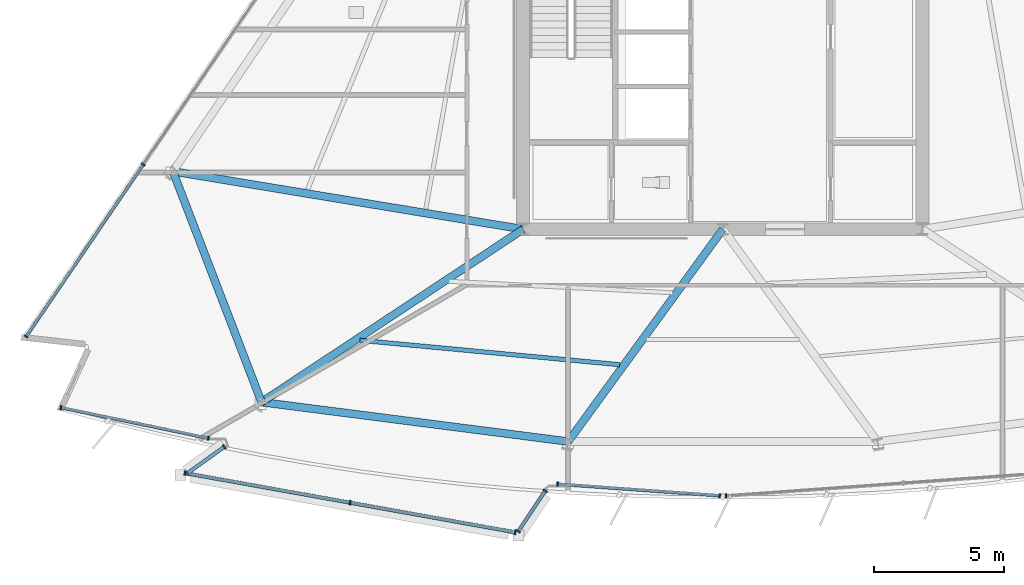
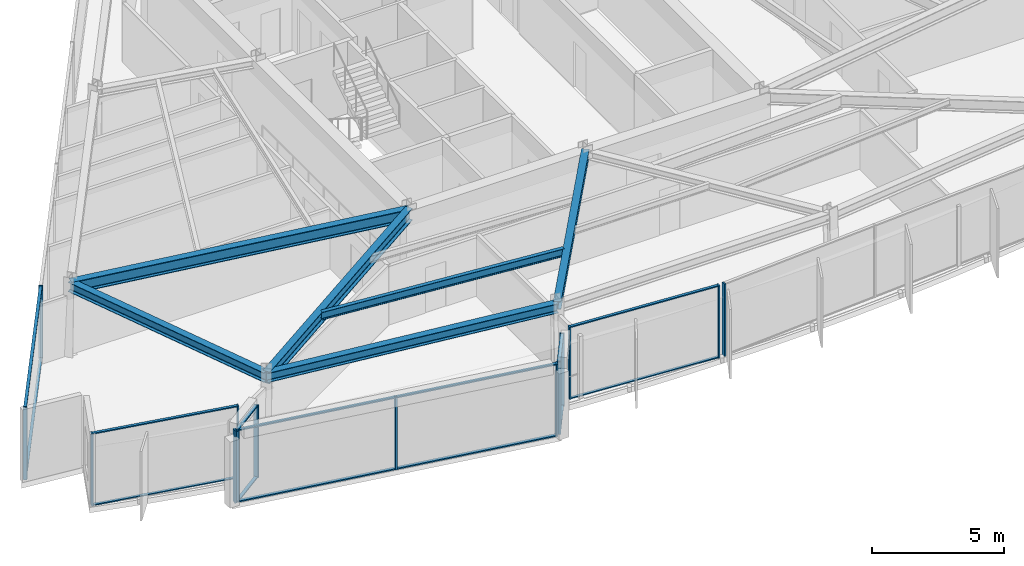
# One storey, part 2 of 16: 28 members, 6 beams, 7 elements without a shape of their own.
"""IFC4 building model written with IfcOpenShell, lengths in metres."""

from ifc_helpers import new_model, si_unit, direction, frame, origin, origin_2d, place, context, subcontext, project, spatial, rectangle, i_section, extrude, material, material_profile, profile_set, type_object, element, aggregate, save


model = new_model("IFC4")

# Units and contexts
model_context = context("Model", 3, precision=1e-05, world=origin(), true_north=direction((0.0, 1.0)))
body_context = subcontext(model_context, "Body", "Model", "MODEL_VIEW")
ifc_project = project(units=[si_unit("LENGTHUNIT", "METRE"), si_unit("AREAUNIT", "SQUARE_METRE"), si_unit("VOLUMEUNIT", "CUBIC_METRE"), si_unit("PLANEANGLEUNIT", "RADIAN"), si_unit("MASSUNIT", "GRAM", prefix="KILO")], contexts=[model_context])

# Site, building, storey
site_placement = place(None, origin())
site = spatial("IfcSite", under=ifc_project, at=site_placement, CompositionType="ELEMENT")
building_placement = place(site_placement, origin())
building = spatial("IfcBuilding", under=site, at=building_placement, Name="Savorim Split Tower", CompositionType="ELEMENT")
storey_placement = place(building_placement, frame((0.0, 0.0, 153.0)))
storey = spatial("IfcBuildingStorey", under=building, at=storey_placement, Name="L40", CompositionType="ELEMENT", Elevation=153.0)

# Beams
ifc_material_1 = material(Name="Steel S355", Category="steel")
ifc_material_profile_1 = material_profile(ifc_material_1, i_section(OverallWidth=0.169921875, OverallDepth=0.360107421875, WebThickness=0.008056640625, FlangeThickness=0.0126953125, FilletRadius=0.01806640625, at=origin_2d()), Name="IPE 360")
ifc_profile_set_1 = profile_set([ifc_material_profile_1], Name="Steel S355")
beam_type_1 = type_object("IfcBeamType", Name="BM-JST-IPE360", PredefinedType="JOIST", material=ifc_profile_set_1)
beam_1_placement = place(storey_placement, frame((-13.994873046875, -13.681884765625, 3.169921875), z_axis=(0.995613843705, -0.093557865639, 0.0), x_axis=(0.093557865639, 0.995613843705, 0.0)))
element("IfcBeam", 1, at=beam_1_placement, inside=storey, type_object=beam_type_1, Name="L40 Secondary Floor Joist JS-01", PredefinedType="JOIST", context=body_context, shape_type="SweptSolid", body=[
    extrude(i_section(OverallWidth=0.169921875, OverallDepth=0.360107421875, WebThickness=0.008056640625, FlangeThickness=0.0126953125, FilletRadius=0.01806640625, at=origin_2d()), origin(), (0.0, 0.0, 1.0), 10.06494140625),
])
ifc_material_profile_2 = material_profile(ifc_material_1, i_section(OverallWidth=0.300048828125, OverallDepth=0.360107421875, WebThickness=0.012451171875, FlangeThickness=0.0224609375, FilletRadius=0.027099609375, at=origin_2d()), Name="HEB 360")
ifc_profile_set_2 = profile_set([ifc_material_profile_2], Name="Steel S355")
beam_type_2 = type_object("IfcBeamType", Name="BM-PRI-HEB360", PredefinedType="BEAM", material=ifc_profile_set_2)
beam_2_placement = place(storey_placement, frame((-5.960693359375, -17.585205078125, 3.169921875), z_axis=(0.588671922526, 0.808372047779, 0.0), x_axis=(-0.808372047779, 0.588671922526, 0.0)))
element("IfcBeam", 2, at=beam_2_placement, inside=storey, type_object=beam_type_2, Name="L40 Primary Floor Girder RG-02", PredefinedType="BEAM", context=body_context, shape_type="SweptSolid", body=[
    extrude(i_section(OverallWidth=0.300048828125, OverallDepth=0.360107421875, WebThickness=0.012451171875, FlangeThickness=0.0224609375, FilletRadius=0.027099609375, at=origin_2d()), origin(), (0.0, 0.0, 1.0), 10.125732421875),
])
ifc_material_profile_3 = material_profile(ifc_material_1, i_section(OverallWidth=0.300048828125, OverallDepth=0.550048828125, WebThickness=0.014892578125, FlangeThickness=0.029052734375, FilletRadius=0.027099609375, at=origin_2d()), Name="HEB 550")
ifc_profile_set_3 = profile_set([ifc_material_profile_3], Name="Steel S355")
beam_type_3 = type_object("IfcBeamType", Name="BM-PRI-HEB550", PredefinedType="BEAM", material=ifc_profile_set_3)
beam_3_placement = place(storey_placement, frame((-17.78466796875, -16.06689453125, 3.074951171875), z_axis=(0.834187839418, 0.551480415398, 0.0), x_axis=(-0.551480415398, 0.834187839418, 0.0)))
element("IfcBeam", 3, at=beam_3_placement, inside=storey, type_object=beam_type_3, Name="L40 Primary Floor Girder RG-01", PredefinedType="BEAM", context=body_context, shape_type="SweptSolid", body=[
    extrude(i_section(OverallWidth=0.300048828125, OverallDepth=0.550048828125, WebThickness=0.014892578125, FlangeThickness=0.029052734375, FilletRadius=0.027099609375, at=origin_2d()), origin(), (0.0, 0.0, 1.0), 12.08935546875),
])
beam_4_placement = place(storey_placement, frame((-21.202880859375, -7.169189453125, 3.074951171875), z_axis=(0.986627236722, -0.162992931618, 0.0), x_axis=(0.162992931618, 0.986627236722, 0.0)))
element("IfcBeam", 4, at=beam_4_placement, inside=storey, type_object=beam_type_3, Name="L40 Primary Floor Girder RG-10", PredefinedType="BEAM", context=body_context, shape_type="SweptSolid", body=[
    extrude(i_section(OverallWidth=0.300048828125, OverallDepth=0.550048828125, WebThickness=0.014892578125, FlangeThickness=0.029052734375, FilletRadius=0.027099609375, at=origin_2d()), origin(), (0.0, 0.0, 1.0), 13.68603515625),
])
ifc_material_profile_4 = material_profile(ifc_material_1, i_section(OverallWidth=0.300048828125, OverallDepth=0.43994140625, WebThickness=0.011474609375, FlangeThickness=0.02099609375, FilletRadius=0.027099609375, at=origin_2d()), Name="HEA 450")
ifc_profile_set_4 = profile_set([ifc_material_profile_4], Name="Steel S355")
beam_type_4 = type_object("IfcBeamType", Name="BM-SPN-HEA450", PredefinedType="SPANDREL", material=ifc_profile_set_4)
beam_5_placement = place(storey_placement, frame((-17.78466796875, -16.06689453125, 3.1298828125), z_axis=(0.991856078035, -0.127363732925, 0.0), x_axis=(0.127363732925, 0.991856078035, 0.0)))
element("IfcBeam", 5, at=beam_5_placement, inside=storey, type_object=beam_type_4, Name="L40 Perimeter Spandrel Beam 1", PredefinedType="SPANDREL", context=body_context, shape_type="SweptSolid", body=[
    extrude(i_section(OverallWidth=0.300048828125, OverallDepth=0.43994140625, WebThickness=0.011474609375, FlangeThickness=0.02099609375, FilletRadius=0.027099609375, at=origin_2d()), origin(), (0.0, 0.0, 1.0), 11.921142578125),
])
beam_6_placement = place(storey_placement, frame((-21.202880859375, -7.169189453125, 3.1298828125), z_axis=(0.358615181318, -0.933485485548, 0.0), x_axis=(0.933485485548, 0.358615181318, 0.0)))
element("IfcBeam", 6, at=beam_6_placement, inside=storey, type_object=beam_type_4, Name="L40 Perimeter Spandrel Beam 10", PredefinedType="SPANDREL", context=body_context, shape_type="SweptSolid", body=[
    extrude(i_section(OverallWidth=0.300048828125, OverallDepth=0.43994140625, WebThickness=0.011474609375, FlangeThickness=0.02099609375, FilletRadius=0.027099609375, at=origin_2d()), origin(), (0.0, 0.0, 1.0), 9.53173828125),
])

# Curtain wall, members
ifc_material_2 = material(Name="Dark Ceramic-Fritted Insulated Glass", Category="glass")
curtain_wall_type_1 = type_object("IfcCurtainWallType", Name="CW-TWR-FRIT-B", PredefinedType="NOTDEFINED", material=ifc_material_2)
curtain_wall_1_placement = place(storey_placement, origin())
curtain_wall_1 = element("IfcCurtainWall", 7, at=curtain_wall_1_placement, inside=storey, type_object=curtain_wall_type_1, Name="L40 Curtain Wall CW-L40-SF1A", PredefinedType="NOTDEFINED")
ifc_material_3 = material(Name="Charcoal Anodised Aluminium", Category="aluminium")
ifc_material_profile_5 = material_profile(ifc_material_3, rectangle(XDim=0.159912109375, YDim=0.06005859375, at=origin_2d()), Name="ALU-M 160x60")
ifc_profile_set_5 = profile_set([ifc_material_profile_5], Name="Charcoal Anodised Aluminium")
member_type_1 = type_object("IfcMemberType", Name="CWM-160x60", PredefinedType="MULLION", material=ifc_profile_set_5)
member_1_placement = place(storey_placement, frame((-25.52197265625, -16.275390625, 0.0), z_axis=(0.0, 0.0, 1.0), x_axis=(0.203213991452, 0.979134349146, 0.0)))
member_1 = element("IfcMember", 8, at=member_1_placement, type_object=member_type_1, Name="CW-03 mullion 1", PredefinedType="MULLION", context=body_context, shape_type="SweptSolid", body=[
    extrude(rectangle(XDim=0.159912109375, YDim=0.06005859375, at=origin_2d()), origin(), (0.0, 0.0, 1.0), 3.35009765625),
])
member_2_placement = place(storey_placement, frame((-19.83349609375, -17.455810546875, 0.0), z_axis=(0.0, 0.0, 1.0), x_axis=(0.203213991452, 0.979134349146, 0.0)))
member_2 = element("IfcMember", 9, at=member_2_placement, type_object=member_type_1, Name="CW-03 mullion 2", PredefinedType="MULLION", context=body_context, shape_type="SweptSolid", body=[
    extrude(rectangle(XDim=0.159912109375, YDim=0.06005859375, at=origin_2d()), origin(), (0.0, 0.0, 1.0), 3.35009765625),
])

curtain_wall_2_placement = place(storey_placement, origin())
curtain_wall_2 = element("IfcCurtainWall", 10, at=curtain_wall_2_placement, inside=storey, type_object=curtain_wall_type_1, Name="L40 Curtain Wall CW-L40-SF2A", PredefinedType="NOTDEFINED")
member_3_placement = place(storey_placement, frame((-6.369873046875, -19.224365234375, 0.0), z_axis=(0.0, 0.0, 1.0), x_axis=(0.071576267442, 0.99743512969, 0.0)))
member_3 = element("IfcMember", 11, at=member_3_placement, type_object=member_type_1, Name="CW-03 mullion 1", PredefinedType="MULLION", context=body_context, shape_type="SweptSolid", body=[
    extrude(rectangle(XDim=0.159912109375, YDim=0.06005859375, at=origin_2d()), origin(), (0.0, 0.0, 1.0), 3.35009765625),
])
member_4_placement = place(storey_placement, frame((-0.12109375, -19.672607421875, 0.0), z_axis=(0.0, 0.0, 1.0), x_axis=(0.071576267442, 0.99743512969, 0.0)))
member_4 = element("IfcMember", 12, at=member_4_placement, type_object=member_type_1, Name="CW-03 mullion 2", PredefinedType="MULLION", context=body_context, shape_type="SweptSolid", body=[
    extrude(rectangle(XDim=0.159912109375, YDim=0.06005859375, at=origin_2d()), origin(), (0.0, 0.0, 1.0), 3.35009765625),
])

# Curtain wall, member
curtain_wall_3_placement = place(storey_placement, origin())
curtain_wall_3 = element("IfcCurtainWall", 13, at=curtain_wall_3_placement, inside=storey, type_object=curtain_wall_type_1, Name="L40 Curtain Wall CW-L40-SF3A", PredefinedType="NOTDEFINED")
member_5_placement = place(storey_placement, frame((0.12109375, -19.672607421875, 0.0), z_axis=(0.0, 0.0, 1.0), x_axis=(-0.071562741149, 0.997436100249, 0.0)))
member_5 = element("IfcMember", 14, at=member_5_placement, type_object=member_type_1, Name="CW-03 mullion 1", PredefinedType="MULLION", context=body_context, shape_type="SweptSolid", body=[
    extrude(rectangle(XDim=0.159912109375, YDim=0.06005859375, at=origin_2d()), origin(), (0.0, 0.0, 1.0), 3.35009765625),
])
aggregate(curtain_wall_3, [member_5])

# Curtain wall, members
curtain_wall_4_placement = place(storey_placement, origin())
curtain_wall_4 = element("IfcCurtainWall", 15, at=curtain_wall_4_placement, inside=storey, type_object=curtain_wall_type_1, Name="L40 Curtain Wall CW-L40-WEST", PredefinedType="NOTDEFINED")
member_6_placement = place(storey_placement, frame((-22.343505859375, -6.900634765625, 0.0), z_axis=(0.0, 0.0, 1.0), x_axis=(0.826820104662, -0.562466456356, 0.0)))
member_6 = element("IfcMember", 16, at=member_6_placement, type_object=member_type_1, Name="CW-03 mullion 4", PredefinedType="MULLION", context=body_context, shape_type="SweptSolid", body=[
    extrude(rectangle(XDim=0.159912109375, YDim=0.06005859375, at=origin_2d()), origin(), (0.0, 0.0, 1.0), 3.35009765625),
])
member_7_placement = place(storey_placement, frame((-26.857666015625, -13.536376953125, 0.0), z_axis=(0.0, 0.0, 1.0), x_axis=(0.826820104662, -0.562466456356, 0.0)))
member_7 = element("IfcMember", 17, at=member_7_placement, type_object=member_type_1, Name="CW-03 mullion 5", PredefinedType="MULLION", context=body_context, shape_type="SweptSolid", body=[
    extrude(rectangle(XDim=0.159912109375, YDim=0.06005859375, at=origin_2d()), origin(), (0.0, 0.0, 1.0), 3.35009765625),
])

curtain_wall_type_2 = type_object("IfcCurtainWallType", Name="CW-BAY-LOUNGE", PredefinedType="NOTDEFINED", material=ifc_material_2)
curtain_wall_5_placement = place(storey_placement, origin())
curtain_wall_5 = element("IfcCurtainWall", 18, at=curtain_wall_5_placement, inside=storey, type_object=curtain_wall_type_2, Name="L40 Curtain Wall CW-L40-BAYF", PredefinedType="NOTDEFINED")
ifc_material_profile_6 = material_profile(ifc_material_3, rectangle(XDim=0.179931640625, YDim=0.06494140625, at=origin_2d()), Name="ALU-M 180x65")
ifc_profile_set_6 = profile_set([ifc_material_profile_6], Name="Charcoal Anodised Aluminium")
member_type_2 = type_object("IfcMemberType", Name="CWM-180x65", PredefinedType="MULLION", material=ifc_profile_set_6)
member_8_placement = place(storey_placement, frame((-20.736572265625, -18.801025390625, 0.0), z_axis=(0.0, 0.0, 1.0), x_axis=(0.17647620957, 0.984304905736, 0.0)))
member_8 = element("IfcMember", 19, at=member_8_placement, type_object=member_type_2, Name="CW-04 mullion 1", PredefinedType="MULLION", context=body_context, shape_type="SweptSolid", body=[
    extrude(rectangle(XDim=0.179931640625, YDim=0.06494140625, at=origin_2d()), origin(), (0.0, 0.0, 1.0), 3.35009765625),
])
member_9_placement = place(storey_placement, frame((-14.37109375, -19.9423828125, 0.0), z_axis=(0.0, 0.0, 1.0), x_axis=(0.17647620957, 0.984304905736, 0.0)))
member_9 = element("IfcMember", 20, at=member_9_placement, type_object=member_type_2, Name="CW-04 mullion 2", PredefinedType="MULLION", context=body_context, shape_type="SweptSolid", body=[
    extrude(rectangle(XDim=0.179931640625, YDim=0.06494140625, at=origin_2d()), origin(), (0.0, 0.0, 1.0), 3.35009765625),
])
member_10_placement = place(storey_placement, frame((-8.005615234375, -21.08349609375, 0.0), z_axis=(0.0, 0.0, 1.0), x_axis=(0.17647620957, 0.984304905736, 0.0)))
member_10 = element("IfcMember", 21, at=member_10_placement, type_object=member_type_2, Name="CW-04 mullion 3", PredefinedType="MULLION", context=body_context, shape_type="SweptSolid", body=[
    extrude(rectangle(XDim=0.179931640625, YDim=0.06494140625, at=origin_2d()), origin(), (0.0, 0.0, 1.0), 3.35009765625),
])

curtain_wall_6_placement = place(storey_placement, origin())
curtain_wall_6 = element("IfcCurtainWall", 22, at=curtain_wall_6_placement, inside=storey, type_object=curtain_wall_type_2, Name="L40 Curtain Wall CW-L40-BAYW", PredefinedType="NOTDEFINED")
member_11_placement = place(storey_placement, frame((-19.21484375, -17.78369140625, 0.0), z_axis=(0.0, 0.0, 1.0), x_axis=(0.582871114578, -0.812564621302, 0.0)))
member_11 = element("IfcMember", 23, at=member_11_placement, type_object=member_type_2, Name="CW-04 mullion 1", PredefinedType="MULLION", context=body_context, shape_type="SweptSolid", body=[
    extrude(rectangle(XDim=0.179931640625, YDim=0.06494140625, at=origin_2d()), origin(), (0.0, 0.0, 1.0), 3.35009765625),
])
member_12_placement = place(storey_placement, frame((-20.653076171875, -18.8154296875, 0.0), z_axis=(0.0, 0.0, 1.0), x_axis=(0.582871114578, -0.812564621302, 0.0)))
member_12 = element("IfcMember", 24, at=member_12_placement, type_object=member_type_2, Name="CW-04 mullion 2", PredefinedType="MULLION", context=body_context, shape_type="SweptSolid", body=[
    extrude(rectangle(XDim=0.179931640625, YDim=0.06494140625, at=origin_2d()), origin(), (0.0, 0.0, 1.0), 3.35009765625),
])

curtain_wall_7_placement = place(storey_placement, origin())
curtain_wall_7 = element("IfcCurtainWall", 25, at=curtain_wall_7_placement, inside=storey, type_object=curtain_wall_type_2, Name="L40 Curtain Wall CW-L40-BAYE", PredefinedType="NOTDEFINED")
member_13_placement = place(storey_placement, frame((-7.8828125, -21.043212890625, 0.0), z_axis=(0.0, 0.0, 1.0), x_axis=(-0.832042363731, 0.554712091952, 0.0)))
member_13 = element("IfcMember", 26, at=member_13_placement, type_object=member_type_2, Name="CW-04 mullion 1", PredefinedType="MULLION", context=body_context, shape_type="SweptSolid", body=[
    extrude(rectangle(XDim=0.179931640625, YDim=0.06494140625, at=origin_2d()), origin(), (0.0, 0.0, 1.0), 3.35009765625),
])
member_14_placement = place(storey_placement, frame((-6.8427734375, -19.483154296875, 0.0), z_axis=(0.0, 0.0, 1.0), x_axis=(-0.832042363731, 0.554712091952, 0.0)))
member_14 = element("IfcMember", 27, at=member_14_placement, type_object=member_type_2, Name="CW-04 mullion 2", PredefinedType="MULLION", context=body_context, shape_type="SweptSolid", body=[
    extrude(rectangle(XDim=0.179931640625, YDim=0.06494140625, at=origin_2d()), origin(), (0.0, 0.0, 1.0), 3.35009765625),
])

# Member
ifc_material_profile_7 = material_profile(ifc_material_3, rectangle(XDim=0.1201171875, YDim=0.050048828125, at=origin_2d()), Name="ALU-T 120x50")
ifc_profile_set_7 = profile_set([ifc_material_profile_7], Name="Charcoal Anodised Aluminium")
member_type_3 = type_object("IfcMemberType", Name="CWT-120x50", PredefinedType="USERDEFINED", material=ifc_profile_set_7)
member_15_placement = place(storey_placement, frame((-25.492431640625, -16.281494140625, 0.02490234375), z_axis=(0.979140851153, -0.203182660686, 0.0), x_axis=(0.203182660686, 0.979140851153, 0.0)))
member_15 = element("IfcMember", 28, at=member_15_placement, type_object=member_type_3, Name="CW-03 transom 1.1", ObjectType="TRANSOM", PredefinedType="USERDEFINED", context=body_context, shape_type="SweptSolid", body=[
    extrude(rectangle(XDim=0.1201171875, YDim=0.050048828125, at=origin_2d()), origin(), (0.0, 0.0, 1.0), 5.74951171875),
])

member_16_placement = place(storey_placement, frame((-25.492431640625, -16.281494140625, 3.324951171875), z_axis=(0.979140851153, -0.203182660686, 0.0), x_axis=(0.203182660686, 0.979140851153, 0.0)))
member_16 = element("IfcMember", 29, at=member_16_placement, type_object=member_type_3, Name="CW-03 transom 1.2", ObjectType="TRANSOM", PredefinedType="USERDEFINED", context=body_context, shape_type="SweptSolid", body=[
    extrude(rectangle(XDim=0.1201171875, YDim=0.050048828125, at=origin_2d()), origin(), (0.0, 0.0, 1.0), 5.74951171875),
])

aggregate(curtain_wall_1, [member_1, member_2, member_15, member_16])

member_17_placement = place(storey_placement, frame((-6.33984375, -19.226318359375, 0.02490234375), z_axis=(0.997435276992, -0.071574214716, 0.0), x_axis=(0.071574214716, 0.997435276992, 0.0)))
member_17 = element("IfcMember", 30, at=member_17_placement, type_object=member_type_3, Name="CW-03 transom 1.1", ObjectType="TRANSOM", PredefinedType="USERDEFINED", context=body_context, shape_type="SweptSolid", body=[
    extrude(rectangle(XDim=0.1201171875, YDim=0.050048828125, at=origin_2d()), origin(), (0.0, 0.0, 1.0), 6.20458984375),
])

member_18_placement = place(storey_placement, frame((-6.33984375, -19.226318359375, 3.324951171875), z_axis=(0.997435276992, -0.071574214716, 0.0), x_axis=(0.071574214716, 0.997435276992, 0.0)))
member_18 = element("IfcMember", 31, at=member_18_placement, type_object=member_type_3, Name="CW-03 transom 1.2", ObjectType="TRANSOM", PredefinedType="USERDEFINED", context=body_context, shape_type="SweptSolid", body=[
    extrude(rectangle(XDim=0.1201171875, YDim=0.050048828125, at=origin_2d()), origin(), (0.0, 0.0, 1.0), 6.20458984375),
])

aggregate(curtain_wall_2, [member_3, member_4, member_17, member_18])

member_19_placement = place(storey_placement, frame((-22.3603515625, -6.925537109375, 0.02490234375), z_axis=(-0.562484383904, -0.826807908685, 0.0), x_axis=(0.826807908685, -0.562484383904, 0.0)))
member_19 = element("IfcMember", 32, at=member_19_placement, type_object=member_type_3, Name="CW-03 transom 4.1", ObjectType="TRANSOM", PredefinedType="USERDEFINED", context=body_context, shape_type="SweptSolid", body=[
    extrude(rectangle(XDim=0.1201171875, YDim=0.050048828125, at=origin_2d()), origin(), (0.0, 0.0, 1.0), 7.965576171875),
])

member_20_placement = place(storey_placement, frame((-22.3603515625, -6.925537109375, 3.324951171875), z_axis=(-0.562484383904, -0.826807908685, 0.0), x_axis=(0.826807908685, -0.562484383904, 0.0)))
member_20 = element("IfcMember", 33, at=member_20_placement, type_object=member_type_3, Name="CW-03 transom 4.2", ObjectType="TRANSOM", PredefinedType="USERDEFINED", context=body_context, shape_type="SweptSolid", body=[
    extrude(rectangle(XDim=0.1201171875, YDim=0.050048828125, at=origin_2d()), origin(), (0.0, 0.0, 1.0), 7.965576171875),
])

aggregate(curtain_wall_4, [member_6, member_7, member_19, member_20])

ifc_material_profile_8 = material_profile(ifc_material_3, rectangle(XDim=0.139892578125, YDim=0.054931640625, at=origin_2d()), Name="ALU-T 140x55")
ifc_profile_set_8 = profile_set([ifc_material_profile_8], Name="Charcoal Anodised Aluminium")
member_type_4 = type_object("IfcMemberType", Name="CWT-140x55", PredefinedType="USERDEFINED", material=ifc_profile_set_8)
member_21_placement = place(storey_placement, frame((-20.70458984375, -18.806884765625, 0.027587890625), z_axis=(0.984309270803, -0.176451861455, 0.0), x_axis=(0.176451861455, 0.984309270803, 0.0)))
member_21 = element("IfcMember", 34, at=member_21_placement, type_object=member_type_4, Name="CW-04 transom 1.1", ObjectType="TRANSOM", PredefinedType="USERDEFINED", context=body_context, shape_type="SweptSolid", body=[
    extrude(rectangle(XDim=0.139892578125, YDim=0.054931640625, at=origin_2d()), origin(), (0.0, 0.0, 1.0), 6.40185546875),
])

member_22_placement = place(storey_placement, frame((-20.70458984375, -18.806884765625, 3.322509765625), z_axis=(0.984309270803, -0.176451861455, 0.0), x_axis=(0.176451861455, 0.984309270803, 0.0)))
member_22 = element("IfcMember", 35, at=member_22_placement, type_object=member_type_4, Name="CW-04 transom 1.2", ObjectType="TRANSOM", PredefinedType="USERDEFINED", context=body_context, shape_type="SweptSolid", body=[
    extrude(rectangle(XDim=0.139892578125, YDim=0.054931640625, at=origin_2d()), origin(), (0.0, 0.0, 1.0), 6.40185546875),
])

member_23_placement = place(storey_placement, frame((-14.339111328125, -19.947998046875, 0.027587890625), z_axis=(0.9843026467, -0.176488808993, 0.0), x_axis=(0.176488808993, 0.9843026467, 0.0)))
member_23 = element("IfcMember", 36, at=member_23_placement, type_object=member_type_4, Name="CW-04 transom 2.1", ObjectType="TRANSOM", PredefinedType="USERDEFINED", context=body_context, shape_type="SweptSolid", body=[
    extrude(rectangle(XDim=0.139892578125, YDim=0.054931640625, at=origin_2d()), origin(), (0.0, 0.0, 1.0), 6.402099609375),
])

member_24_placement = place(storey_placement, frame((-14.339111328125, -19.947998046875, 3.322509765625), z_axis=(0.9843026467, -0.176488808993, 0.0), x_axis=(0.176488808993, 0.9843026467, 0.0)))
member_24 = element("IfcMember", 37, at=member_24_placement, type_object=member_type_4, Name="CW-04 transom 2.2", ObjectType="TRANSOM", PredefinedType="USERDEFINED", context=body_context, shape_type="SweptSolid", body=[
    extrude(rectangle(XDim=0.139892578125, YDim=0.054931640625, at=origin_2d()), origin(), (0.0, 0.0, 1.0), 6.402099609375),
])

aggregate(curtain_wall_5, [member_8, member_9, member_10, member_21, member_22, member_23, member_24])

member_25_placement = place(storey_placement, frame((-19.2412109375, -17.802734375, 0.027587890625), z_axis=(-0.812551518663, -0.582889380172, 0.0), x_axis=(0.582889380172, -0.812551518663, 0.0)))
member_25 = element("IfcMember", 38, at=member_25_placement, type_object=member_type_4, Name="CW-04 transom 1.1", ObjectType="TRANSOM", PredefinedType="USERDEFINED", context=body_context, shape_type="SweptSolid", body=[
    extrude(rectangle(XDim=0.139892578125, YDim=0.054931640625, at=origin_2d()), origin(), (0.0, 0.0, 1.0), 1.705078125),
])

member_26_placement = place(storey_placement, frame((-19.2412109375, -17.802734375, 3.322509765625), z_axis=(-0.812551518663, -0.582889380172, 0.0), x_axis=(0.582889380172, -0.812551518663, 0.0)))
member_26 = element("IfcMember", 39, at=member_26_placement, type_object=member_type_4, Name="CW-04 transom 1.2", ObjectType="TRANSOM", PredefinedType="USERDEFINED", context=body_context, shape_type="SweptSolid", body=[
    extrude(rectangle(XDim=0.139892578125, YDim=0.054931640625, at=origin_2d()), origin(), (0.0, 0.0, 1.0), 1.705078125),
])

aggregate(curtain_wall_6, [member_11, member_12, member_25, member_26])

member_27_placement = place(storey_placement, frame((-7.86474609375, -21.01611328125, 0.027587890625), z_axis=(0.554700196225, 0.832050294338, 0.0), x_axis=(-0.832050294338, 0.554700196225, 0.0)))
member_27 = element("IfcMember", 40, at=member_27_placement, type_object=member_type_4, Name="CW-04 transom 1.1", ObjectType="TRANSOM", PredefinedType="USERDEFINED", context=body_context, shape_type="SweptSolid", body=[
    extrude(rectangle(XDim=0.139892578125, YDim=0.054931640625, at=origin_2d()), origin(), (0.0, 0.0, 1.0), 1.809814453125),
])

member_28_placement = place(storey_placement, frame((-7.86474609375, -21.01611328125, 3.322509765625), z_axis=(0.554700196225, 0.832050294338, 0.0), x_axis=(-0.832050294338, 0.554700196225, 0.0)))
member_28 = element("IfcMember", 41, at=member_28_placement, type_object=member_type_4, Name="CW-04 transom 1.2", ObjectType="TRANSOM", PredefinedType="USERDEFINED", context=body_context, shape_type="SweptSolid", body=[
    extrude(rectangle(XDim=0.139892578125, YDim=0.054931640625, at=origin_2d()), origin(), (0.0, 0.0, 1.0), 1.809814453125),
])

aggregate(curtain_wall_7, [member_13, member_14, member_27, member_28])

save(model, "model.ifc")
